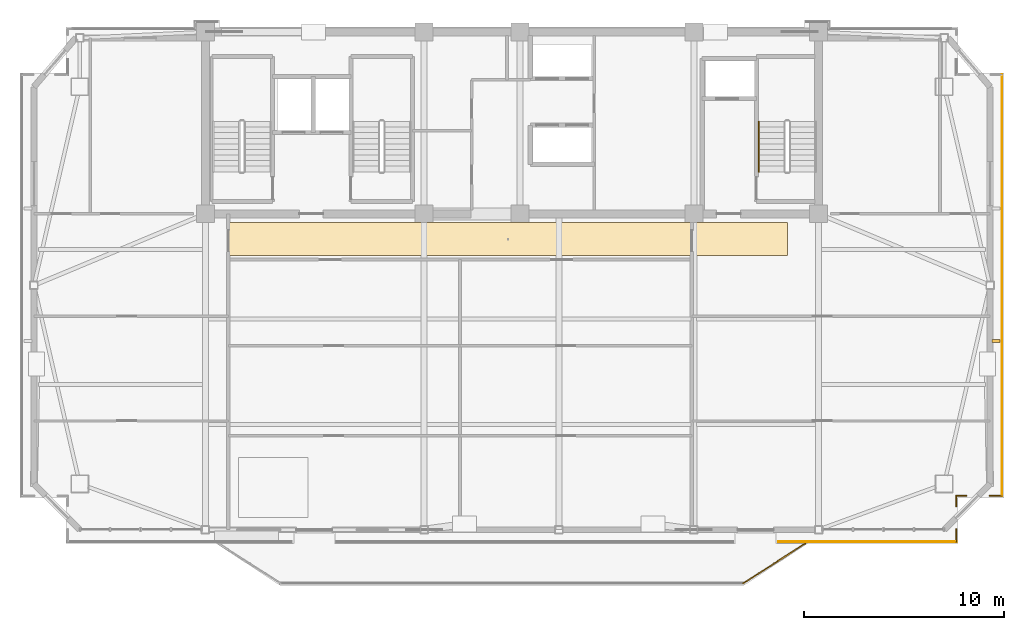
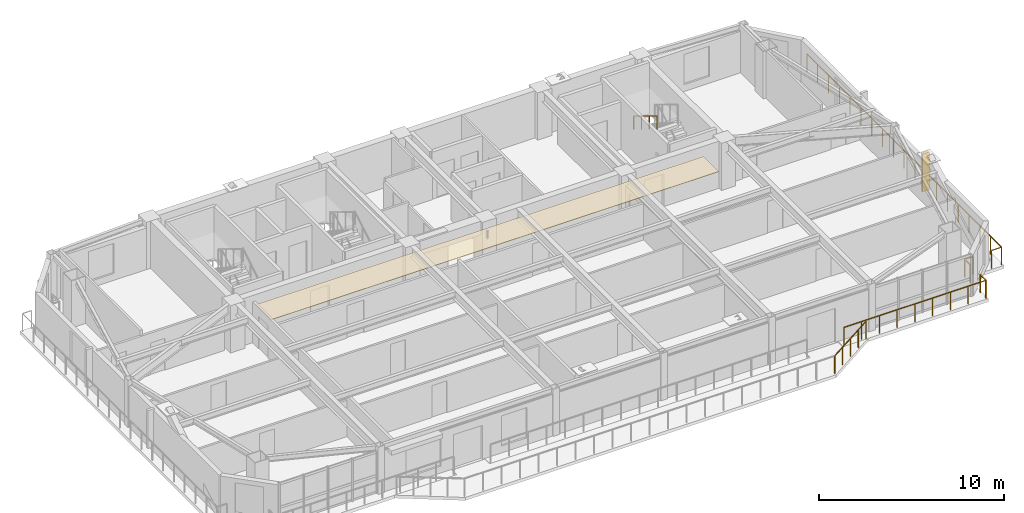
# One storey, part 12 of 13: 8 railings, 1 covering, 1 shading device.
"""IFC4 building model written with IfcOpenShell, lengths in metres."""

from ifc_helpers import new_model, si_unit, direction, frame, origin, origin_2d, place, context, subcontext, project, spatial, polyline, rectangle, outline, extrude, source, transform, mapped, material, layer, layer_set, type_object, element, save


model = new_model("IFC4")

# Units and contexts
model_context = context("Model", 3, precision=1e-05, world=origin(), true_north=direction((0.0, 1.0)))
body_context = subcontext(model_context, "Body", "Model", "MODEL_VIEW")
ifc_project = project(units=[si_unit("LENGTHUNIT", "METRE"), si_unit("AREAUNIT", "SQUARE_METRE"), si_unit("VOLUMEUNIT", "CUBIC_METRE"), si_unit("PLANEANGLEUNIT", "RADIAN"), si_unit("MASSUNIT", "GRAM", prefix="KILO")], contexts=[model_context])

# Site, building, storey
site_placement = place(None, origin())
site = spatial("IfcSite", under=ifc_project, at=site_placement, CompositionType="ELEMENT")
building_placement = place(site_placement, origin())
building = spatial("IfcBuilding", under=site, at=building_placement, Name="Giltprow Tower", CompositionType="ELEMENT")
storey_placement = place(building_placement, frame((0.0, 0.0, 324.39990234375)))
storey = spatial("IfcBuildingStorey", under=building, at=storey_placement, Name="L84", CompositionType="ELEMENT", Elevation=324.39990234375)

# Covering
ifc_material_1 = material(Name="Painted gypsum board", Category="gypsum")
ifc_layer = layer(ifc_material_1, 0.030029296875, Name="Painted gypsum board")
ifc_layer_set = layer_set([ifc_layer], Name="Painted gypsum board")
covering_type = type_object("IfcCoveringType", Name="COV-CLG-GYPSUM", PredefinedType="CEILING", material=ifc_layer_set)
covering_placement = place(storey_placement, frame((0.0, 0.0, 2.6201171875)))
element("IfcCovering", 1, at=covering_placement, inside=storey, type_object=covering_type, Name="L84 Residence Gallery Ceiling", PredefinedType="CEILING", context=body_context, shape_type="SweptSolid", body=[
    extrude(outline(polyline([(21.0, 35.35009765625), (49.0, 35.35009765625), (49.0, 37.0), (21.0, 37.0), (21.0, 35.35009765625)])), origin(), (0.0, 0.0, 1.0), 0.030029296875),
])

# Railings
ifc_material_2 = material(Name="Anodized bronze", Category="metal")
railing_type_1 = type_object("IfcRailingType", Name="RAIL-BALC-GUARD-1200", PredefinedType="BALUSTRADE", material=ifc_material_2)
railing_1_placement = place(storey_placement, frame((46.780029296875, 18.9560546875, 0.0)))
element("IfcRailing", 2, at=railing_1_placement, inside=storey, type_object=railing_type_1, Name="L84 Waterfront Balcony Balustrade Seg 3", PredefinedType="BALUSTRADE", context=body_context, shape_type="SweptSolid", body=[
    extrude(rectangle(XDim=0.048095703125, YDim=0.048095703125, at=origin_2d()), frame((0.0, 0.0, 1.17578125), z_axis=(0.842755646126, 0.538296313309, 0.0), x_axis=(-0.538296313309, 0.842755646126, 0.0)), (0.0, 0.0, 1.0), 3.67822265625),
    extrude(rectangle(XDim=0.0419921875, YDim=0.0419921875, at=origin_2d()), origin(), (0.0, 0.0, 1.0), 1.15185546875),
    extrude(rectangle(XDim=0.0419921875, YDim=0.0419921875, at=origin_2d()), frame((0.77490234375, 0.4951171875, 0.0)), (0.0, 0.0, 1.0), 1.15185546875),
    extrude(rectangle(XDim=0.0419921875, YDim=0.0419921875, at=origin_2d()), frame((1.5498046875, 0.989990234375, 0.0)), (0.0, 0.0, 1.0), 1.15185546875),
    extrude(rectangle(XDim=0.0419921875, YDim=0.0419921875, at=origin_2d()), frame((2.324951171875, 1.48486328125, 0.0)), (0.0, 0.0, 1.0), 1.15185546875),
    extrude(rectangle(XDim=0.0419921875, YDim=0.0419921875, at=origin_2d()), frame((3.099853515625, 1.97998046875, 0.0)), (0.0, 0.0, 1.0), 1.15185546875),
])
railing_2_placement = place(storey_placement, frame((59.73095703125, 44.407958984375, 0.0)))
element("IfcRailing", 3, at=railing_2_placement, inside=storey, type_object=railing_type_1, Name="L84 Corner Apron Edge Balustrade 1", PredefinedType="BALUSTRADE", context=body_context, shape_type="SweptSolid", body=[
    extrude(rectangle(XDim=0.048095703125, YDim=0.048095703125, at=origin_2d()), frame((0.0, 0.0, 1.17578125), z_axis=(0.0, -1.0, 0.0), x_axis=(1.0, 0.0, 0.0)), (0.0, 0.0, 1.0), 21.080078125),
    extrude(rectangle(XDim=0.0419921875, YDim=0.0419921875, at=origin_2d()), origin(), (0.0, 0.0, 1.0), 1.15185546875),
    extrude(rectangle(XDim=0.0419921875, YDim=0.0419921875, at=origin_2d()), frame((0.0, -1.171142578125, 0.0)), (0.0, 0.0, 1.0), 1.15185546875),
    extrude(rectangle(XDim=0.0419921875, YDim=0.0419921875, at=origin_2d()), frame((0.0, -2.34228515625, 0.0)), (0.0, 0.0, 1.0), 1.15185546875),
    extrude(rectangle(XDim=0.0419921875, YDim=0.0419921875, at=origin_2d()), frame((0.0, -3.513427734375, 0.0)), (0.0, 0.0, 1.0), 1.15185546875),
    extrude(rectangle(XDim=0.0419921875, YDim=0.0419921875, at=origin_2d()), frame((0.0, -4.6845703125, 0.0)), (0.0, 0.0, 1.0), 1.15185546875),
    extrude(rectangle(XDim=0.0419921875, YDim=0.0419921875, at=origin_2d()), frame((0.0, -5.85546875, 0.0)), (0.0, 0.0, 1.0), 1.15185546875),
    extrude(rectangle(XDim=0.0419921875, YDim=0.0419921875, at=origin_2d()), frame((0.0, -7.026611328125, 0.0)), (0.0, 0.0, 1.0), 1.15185546875),
    extrude(rectangle(XDim=0.0419921875, YDim=0.0419921875, at=origin_2d()), frame((0.0, -8.19775390625, 0.0)), (0.0, 0.0, 1.0), 1.15185546875),
    extrude(rectangle(XDim=0.0419921875, YDim=0.0419921875, at=origin_2d()), frame((0.0, -9.368896484375, 0.0)), (0.0, 0.0, 1.0), 1.15185546875),
    extrude(rectangle(XDim=0.0419921875, YDim=0.0419921875, at=origin_2d()), frame((0.0, -10.5400390625, 0.0)), (0.0, 0.0, 1.0), 1.15185546875),
    extrude(rectangle(XDim=0.0419921875, YDim=0.0419921875, at=origin_2d()), frame((0.0, -11.711181640625, 0.0)), (0.0, 0.0, 1.0), 1.15185546875),
    extrude(rectangle(XDim=0.0419921875, YDim=0.0419921875, at=origin_2d()), frame((0.0, -12.88232421875, 0.0)), (0.0, 0.0, 1.0), 1.15185546875),
    extrude(rectangle(XDim=0.0419921875, YDim=0.0419921875, at=origin_2d()), frame((0.0, -14.053466796875, 0.0)), (0.0, 0.0, 1.0), 1.15185546875),
    extrude(rectangle(XDim=0.0419921875, YDim=0.0419921875, at=origin_2d()), frame((0.0, -15.224609375, 0.0)), (0.0, 0.0, 1.0), 1.15185546875),
    extrude(rectangle(XDim=0.0419921875, YDim=0.0419921875, at=origin_2d()), frame((0.0, -16.3955078125, 0.0)), (0.0, 0.0, 1.0), 1.15185546875),
    extrude(rectangle(XDim=0.0419921875, YDim=0.0419921875, at=origin_2d()), frame((0.0, -17.566650390625, 0.0)), (0.0, 0.0, 1.0), 1.15185546875),
    extrude(rectangle(XDim=0.0419921875, YDim=0.0419921875, at=origin_2d()), frame((0.0, -18.73779296875, 0.0)), (0.0, 0.0, 1.0), 1.15185546875),
    extrude(rectangle(XDim=0.0419921875, YDim=0.0419921875, at=origin_2d()), frame((0.0, -19.908935546875, 0.0)), (0.0, 0.0, 1.0), 1.15185546875),
    extrude(rectangle(XDim=0.0419921875, YDim=0.0419921875, at=origin_2d()), frame((0.0, -21.080078125, 0.0)), (0.0, 0.0, 1.0), 1.15185546875),
])
railing_3_placement = place(storey_placement, frame((59.73095703125, 23.327880859375, 0.0)))
element("IfcRailing", 4, at=railing_3_placement, inside=storey, type_object=railing_type_1, Name="L84 Corner Apron Edge Balustrade 2", PredefinedType="BALUSTRADE", context=body_context, shape_type="SweptSolid", body=[
    extrude(rectangle(XDim=0.048095703125, YDim=0.048095703125, at=origin_2d()), frame((0.0, 0.0, 1.17578125), z_axis=(-1.0, 0.0, 0.0), x_axis=(0.0, -1.0, 0.0)), (0.0, 0.0, 1.0), 0.619873046875),
    extrude(rectangle(XDim=0.0419921875, YDim=0.0419921875, at=origin_2d()), origin(), (0.0, 0.0, 1.0), 1.15185546875),
    extrude(rectangle(XDim=0.0419921875, YDim=0.0419921875, at=origin_2d()), frame((-0.619873046875, 0.0, 0.0)), (0.0, 0.0, 1.0), 1.15185546875),
])
railing_4_placement = place(storey_placement, frame((57.950927734375, 23.327880859375, 0.0)))
element("IfcRailing", 5, at=railing_4_placement, inside=storey, type_object=railing_type_1, Name="L84 Corner Apron Edge Balustrade 3", PredefinedType="BALUSTRADE", context=body_context, shape_type="SweptSolid", body=[
    extrude(rectangle(XDim=0.048095703125, YDim=0.048095703125, at=origin_2d()), frame((0.0, 0.0, 1.17578125), z_axis=(-1.0, 0.0, 0.0), x_axis=(0.0, -1.0, 0.0)), (0.0, 0.0, 1.0), 0.512939453125),
    extrude(rectangle(XDim=0.0419921875, YDim=0.0419921875, at=origin_2d()), origin(), (0.0, 0.0, 1.0), 1.15185546875),
    extrude(rectangle(XDim=0.0419921875, YDim=0.0419921875, at=origin_2d()), frame((-0.512939453125, 0.0, 0.0)), (0.0, 0.0, 1.0), 1.15185546875),
])
railing_5_placement = place(storey_placement, frame((57.43798828125, 23.327880859375, 0.0)))
element("IfcRailing", 6, at=railing_5_placement, inside=storey, type_object=railing_type_1, Name="L84 Corner Apron Edge Balustrade 4", PredefinedType="BALUSTRADE", context=body_context, shape_type="SweptSolid", body=[
    extrude(rectangle(XDim=0.048095703125, YDim=0.048095703125, at=origin_2d()), frame((0.0, 0.0, 1.17578125), z_axis=(0.0, -1.0, 0.0), x_axis=(1.0, 0.0, 0.0)), (0.0, 0.0, 1.0), 0.512939453125),
    extrude(rectangle(XDim=0.0419921875, YDim=0.0419921875, at=origin_2d()), origin(), (0.0, 0.0, 1.0), 1.15185546875),
    extrude(rectangle(XDim=0.0419921875, YDim=0.0419921875, at=origin_2d()), frame((0.0, -0.512939453125, 0.0)), (0.0, 0.0, 1.0), 1.15185546875),
])
railing_6_placement = place(storey_placement, frame((57.43798828125, 21.655029296875, 0.0)))
element("IfcRailing", 7, at=railing_6_placement, inside=storey, type_object=railing_type_1, Name="L84 Corner Apron Edge Balustrade 5", PredefinedType="BALUSTRADE", context=body_context, shape_type="SweptSolid", body=[
    extrude(rectangle(XDim=0.048095703125, YDim=0.048095703125, at=origin_2d()), frame((0.0, 0.0, 1.17578125), z_axis=(0.0, -1.0, 0.0), x_axis=(1.0, 0.0, 0.0)), (0.0, 0.0, 1.0), 0.619140625),
    extrude(rectangle(XDim=0.0419921875, YDim=0.0419921875, at=origin_2d()), origin(), (0.0, 0.0, 1.0), 1.15185546875),
    extrude(rectangle(XDim=0.0419921875, YDim=0.0419921875, at=origin_2d()), frame((0.0, -0.619140625, 0.0)), (0.0, 0.0, 1.0), 1.15185546875),
])
railing_7_placement = place(storey_placement, frame((57.43798828125, 21.035888671875, 0.0)))
element("IfcRailing", 8, at=railing_7_placement, inside=storey, type_object=railing_type_1, Name="L84 Corner Apron Edge Balustrade 6", PredefinedType="BALUSTRADE", context=body_context, shape_type="SweptSolid", body=[
    extrude(rectangle(XDim=0.048095703125, YDim=0.048095703125, at=origin_2d()), frame((0.0, 0.0, 1.17578125), z_axis=(-1.0, 0.0, 0.0), x_axis=(0.0, -1.0, 0.0)), (0.0, 0.0, 1.0), 8.887939453125),
    extrude(rectangle(XDim=0.0419921875, YDim=0.0419921875, at=origin_2d()), origin(), (0.0, 0.0, 1.0), 1.15185546875),
    extrude(rectangle(XDim=0.0419921875, YDim=0.0419921875, at=origin_2d()), frame((-1.111083984375, 0.0, 0.0)), (0.0, 0.0, 1.0), 1.15185546875),
    extrude(rectangle(XDim=0.0419921875, YDim=0.0419921875, at=origin_2d()), frame((-2.221923828125, 0.0, 0.0)), (0.0, 0.0, 1.0), 1.15185546875),
    extrude(rectangle(XDim=0.0419921875, YDim=0.0419921875, at=origin_2d()), frame((-3.3330078125, 0.0, 0.0)), (0.0, 0.0, 1.0), 1.15185546875),
    extrude(rectangle(XDim=0.0419921875, YDim=0.0419921875, at=origin_2d()), frame((-4.44384765625, 0.0, 0.0)), (0.0, 0.0, 1.0), 1.15185546875),
    extrude(rectangle(XDim=0.0419921875, YDim=0.0419921875, at=origin_2d()), frame((-5.554931640625, 0.0, 0.0)), (0.0, 0.0, 1.0), 1.15185546875),
    extrude(rectangle(XDim=0.0419921875, YDim=0.0419921875, at=origin_2d()), frame((-6.666015625, 0.0, 0.0)), (0.0, 0.0, 1.0), 1.15185546875),
    extrude(rectangle(XDim=0.0419921875, YDim=0.0419921875, at=origin_2d()), frame((-7.77685546875, 0.0, 0.0)), (0.0, 0.0, 1.0), 1.15185546875),
    extrude(rectangle(XDim=0.0419921875, YDim=0.0419921875, at=origin_2d()), frame((-8.887939453125, 0.0, 0.0)), (0.0, 0.0, 1.0), 1.15185546875),
])
railing_type_2 = type_object("IfcRailingType", Name="RAIL-STAIR-HAND-900", PredefinedType="HANDRAIL", material=ifc_material_2)
railing_8_placement = place(storey_placement, frame((47.550048828125, 42.070068359375, 1.8701171875)))
element("IfcRailing", 9, at=railing_8_placement, inside=storey, type_object=railing_type_2, Name="L84 ST-3 stair handrail 2", PredefinedType="HANDRAIL", context=body_context, shape_type="SweptSolid", body=[
    extrude(rectangle(XDim=0.048095703125, YDim=0.048095703125, at=origin_2d()), frame((0.0, 0.0, 0.8759765625), z_axis=(0.0, -0.85478489116, 0.518982456201), x_axis=(1.0, 0.0, 0.0)), (0.0, 0.0, 1.0), 2.9482421875),
    extrude(rectangle(XDim=0.0419921875, YDim=0.0419921875, at=origin_2d()), origin(), (0.0, 0.0, 1.0), 0.851806640625),
    extrude(rectangle(XDim=0.0419921875, YDim=0.0419921875, at=origin_2d()), frame((0.0, -0.840087890625, 0.510009765625)), (0.0, 0.0, 1.0), 0.851806640625),
    extrude(rectangle(XDim=0.0419921875, YDim=0.0419921875, at=origin_2d()), frame((0.0, -1.679931640625, 1.02001953125)), (0.0, 0.0, 1.0), 0.851806640625),
    extrude(rectangle(XDim=0.0419921875, YDim=0.0419921875, at=origin_2d()), frame((0.0, -2.52001953125, 1.530029296875)), (0.0, 0.0, 1.0), 0.851806640625),
])

# Shading device
shading_device_type = type_object("IfcShadingDeviceType", Name="SHD-FIN-420", PredefinedType="USERDEFINED", material=ifc_material_2)
shared_shape = source(origin(), body_context, "Body", "SweptSolid", [
    extrude(rectangle(XDim=0.419921875, YDim=0.159912109375, at=origin_2d()), origin(), (0.0, 0.0, 1.0), 2.5),
])
shading_device_placement = place(storey_placement, frame((59.430908203125, 31.074951171875, 0.35009765625), z_axis=(0.0, 0.0, 1.0), x_axis=(1.0, 0.0, 0.0)))
element("IfcShadingDevice", 10, at=shading_device_placement, inside=storey, type_object=shading_device_type, Name="L84 E Bronze Vertical Fin 1-1", ObjectType="FIN", PredefinedType="USERDEFINED", context=body_context, shape_type="MappedRepresentation", body=[
    mapped(shared_shape, transform((0.0, 0.0, 0.0), x_axis=(1.0, 0.0, 0.0), y_axis=(0.0, 1.0, 0.0), z_axis=(0.0, 0.0, 1.0), scale=1.0)),
])

save(model, "model.ifc")
